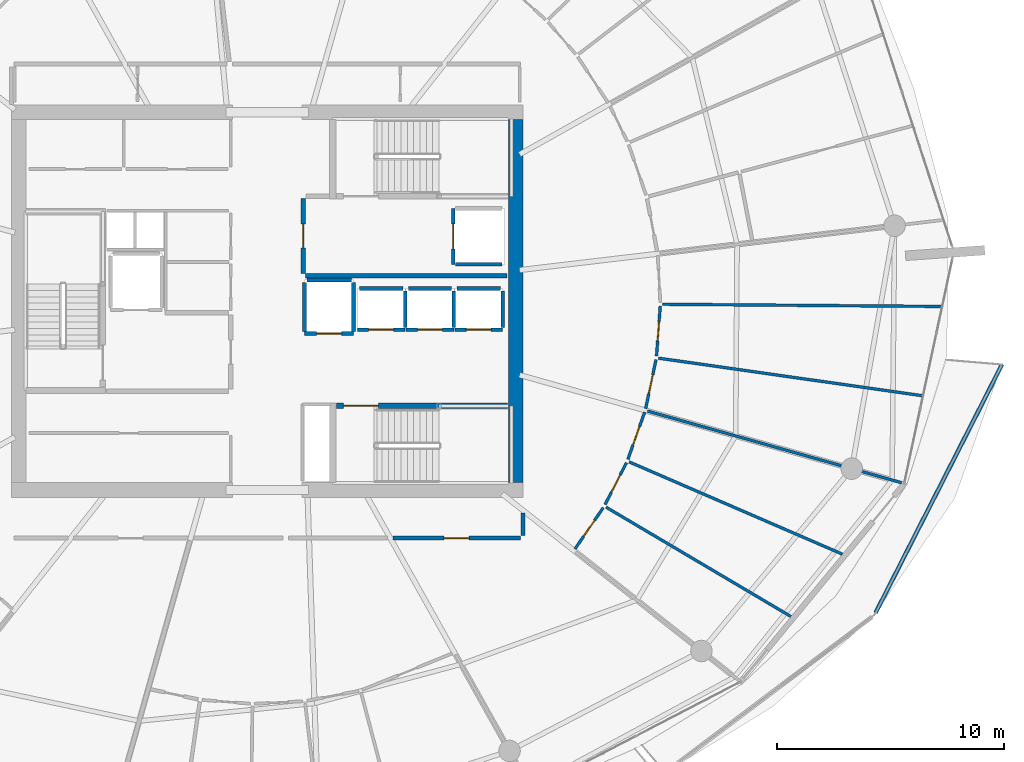
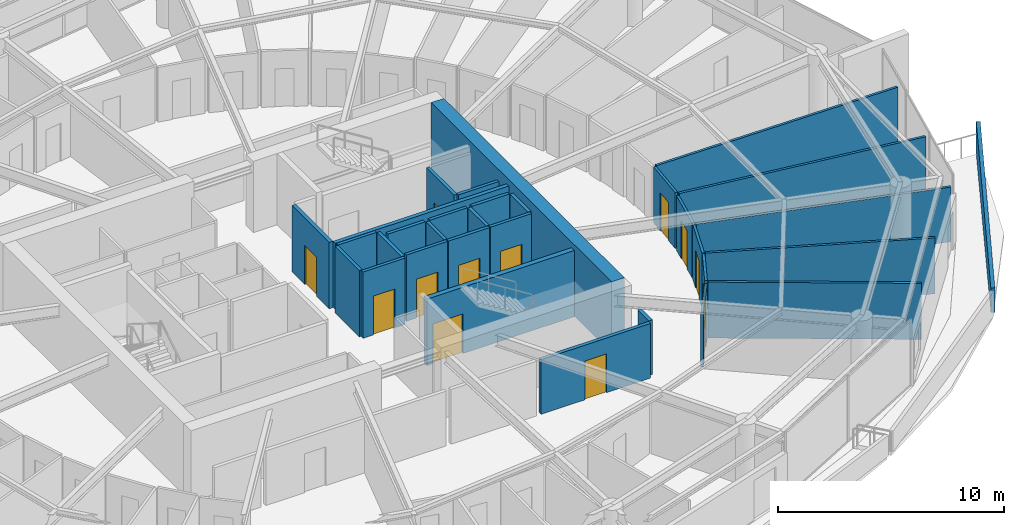
# One storey, part 21 of 31: 32 walls, 13 doors, 13 openings.
"""IFC4 building model written with IfcOpenShell, lengths in metres."""

from ifc_helpers import new_model, si_unit, direction, frame, frame_2d, origin, place, context, subcontext, project, spatial, polyline, rectangle, outline, extrude, material, layer, layer_set, type_object, element, fill, save


model = new_model("IFC4")

# Units and contexts
model_context = context("Model", 3, precision=1e-05, world=origin(), true_north=direction((0.0, 1.0)))
body_context = subcontext(model_context, "Body", "Model", "MODEL_VIEW")
ifc_project = project(units=[si_unit("LENGTHUNIT", "METRE"), si_unit("AREAUNIT", "SQUARE_METRE"), si_unit("VOLUMEUNIT", "CUBIC_METRE"), si_unit("PLANEANGLEUNIT", "RADIAN"), si_unit("MASSUNIT", "GRAM", prefix="KILO")], contexts=[model_context])

# Site, building, storey
site_placement = place(None, origin())
site = spatial("IfcSite", under=ifc_project, at=site_placement, CompositionType="ELEMENT")
building_placement = place(site_placement, origin())
building = spatial("IfcBuilding", under=site, at=building_placement, Name="Kazma Halo Residences", CompositionType="ELEMENT")
storey_placement = place(building_placement, frame((0.0, 0.0, 271.35009765625)))
storey = spatial("IfcBuildingStorey", under=building, at=storey_placement, Name="L68", CompositionType="ELEMENT", Elevation=271.35009765625)

# Walls
ifc_material_1 = material(Name="White Concrete C50/60 Balustrade", Category="concrete")
ifc_layer_1 = layer(ifc_material_1, 0.179931640625)
ifc_layer_set_1 = layer_set([ifc_layer_1], Name="White Concrete C50/60 Balustrade")
wall_type_1 = type_object("IfcWallType", Name="WL-BAL-WAVE-180", PredefinedType="PARAPET", material=ifc_layer_set_1)
wall_1_placement = place(storey_placement, frame((75.241943359375, 28.254150390625, 0.0), z_axis=(0.0, 0.0, 1.0), x_axis=(0.45375182612, 0.891128094211, 0.0)))
element("IfcWall", 1, at=wall_1_placement, inside=storey, type_object=wall_type_1, Name="L68 white wave balustrade wall SE.2", PredefinedType="PARAPET", context=body_context, shape_type="SweptSolid", body=[
    extrude(outline(polyline([(0.0, 0.0), (12.2998046875, 0.0), (12.2998046875, 1.746826171875), (6.14990234375, 1.56201171875), (0.0, 1.347900390625), (0.0, 0.0)])), frame((0.0, 0.08984375, 0.0), z_axis=(0.0, -1.0, 0.0), x_axis=(1.0, 0.0, 0.0)), (0.0, 0.0, 1.0), 0.179931640625),
])
ifc_material_2 = material(Name="Concrete C60/75", Category="concrete")
ifc_layer_2 = layer(ifc_material_2, 0.64990234375)
ifc_layer_set_2 = layer_set([ifc_layer_2], Name="Concrete C60/75")
wall_type_2 = type_object("IfcWallType", Name="WL-CORE-650", PredefinedType="SHEAR", material=ifc_layer_set_2)
wall_2_placement = place(storey_placement, frame((59.375, 34.0, 0.0), z_axis=(0.0, 0.0, 1.0), x_axis=(0.0, 1.0, 0.0)))
element("IfcWall", 2, at=wall_2_placement, inside=storey, type_object=wall_type_2, Name="L68 central core shear wall E", PredefinedType="SHEAR", context=body_context, shape_type="SweptSolid", body=[
    extrude(rectangle(XDim=16.0, YDim=0.64990234375, at=frame_2d((8.0, 0.0))), origin(), (0.0, 0.0, 1.0), 3.849853515625),
])

# Wall, opening, door
ifc_material_3 = material(Name="Acoustic Twin-Stud Gypsum")
ifc_layer_3 = layer(ifc_material_3, 0.179931640625)
ifc_layer_set_3 = layer_set([ifc_layer_3], Name="Acoustic Twin-Stud Gypsum")
wall_type_3 = type_object("IfcWallType", Name="WL-DEM-180", PredefinedType="PARTITIONING", material=ifc_layer_set_3)
wall_3_placement = place(storey_placement, frame((53.972412109375, 31.550048828125, 0.0), z_axis=(0.0, 0.0, 1.0), x_axis=(1.0, 0.0, 0.0)))
wall_3 = element("IfcWall", 3, at=wall_3_placement, inside=storey, type_object=wall_type_3, Name="L68 Apartment 2 entrance corridor wall", PredefinedType="PARTITIONING", context=body_context, shape_type="SweptSolid", body=[
    extrude(rectangle(XDim=5.607666015625, YDim=0.179931640625, at=frame_2d((2.8037109375, 0.0))), origin(), (0.0, 0.0, 1.0), 2.956787109375),
])
opening_1_placement = place(wall_3_placement, frame((2.25390625, 0.0, 0.0)))
opening_1 = element("IfcOpeningElement", 4, at=opening_1_placement, cuts=wall_3, Name="Opening DA-1100", PredefinedType="OPENING", context=body_context, shape_type="SweptSolid", body=[
    extrude(rectangle(XDim=1.10009765625, YDim=2.10009765625, at=frame_2d((0.550048828125, 1.050048828125))), frame((0.0, 0.099853515625, 0.0), z_axis=(0.0, -1.0, 0.0), x_axis=(1.0, 0.0, 0.0)), (0.0, 0.0, 1.0), 0.199951171875),
])
ifc_material_4 = material(Name="Acoustic Walnut Fire Leaf")
door_type_1 = type_object("IfcDoorType", Name="DR-FD60-1100", OperationType="NOTDEFINED", PredefinedType="DOOR", material=ifc_material_4)
door_1_placement = place(opening_1_placement, origin())
door_1 = element("IfcDoor", 5, at=door_1_placement, inside=storey, type_object=door_type_1, Name="L68 Apartment 2 entrance fire door", OperationType="SINGLE_SWING_LEFT", OverallHeight=2.10009765625, OverallWidth=1.10009765625, PredefinedType="DOOR", context=body_context, shape_type="SweptSolid", body=[
    extrude(rectangle(XDim=1.10009765625, YDim=2.10009765625, at=frame_2d((0.550048828125, 1.050048828125))), frame((0.0, 0.02490234375, 0.0), z_axis=(0.0, -1.0, 0.0), x_axis=(1.0, 0.0, 0.0)), (0.0, 0.0, 1.0), 0.050048828125),
])
fill(opening_1, door_1)

# Wall
wall_4_placement = place(storey_placement, frame((59.699951171875, 31.669921875, 0.0), z_axis=(0.0, 0.0, 1.0), x_axis=(0.0, 1.0, 0.0)))
element("IfcWall", 6, at=wall_4_placement, inside=storey, type_object=wall_type_3, Name="L68 Apartment 2 entrance corridor wall", PredefinedType="PARTITIONING", context=body_context, shape_type="SweptSolid", body=[
    extrude(rectangle(XDim=0.986572265625, YDim=0.179931640625, at=frame_2d((0.4931640625, 0.0))), origin(), (0.0, 0.0, 1.0), 2.956787109375),
])

# Wall, opening, door
ifc_material_5 = material(Name="Fire-Rated Blockwork Masonry", Category="masonry")
ifc_layer_4 = layer(ifc_material_5, 0.199951171875)
ifc_layer_set_4 = layer_set([ifc_layer_4], Name="Fire-Rated Blockwork Masonry")
wall_type_4 = type_object("IfcWallType", Name="WL-FLB-200", PredefinedType="PARTITIONING", material=ifc_layer_set_4)
wall_5_placement = place(storey_placement, frame((54.5048828125, 40.7451171875, 0.0), z_axis=(0.0, 0.0, 1.0), x_axis=(-1.0, 0.0, 0.0)))
wall_5 = element("IfcWall", 7, at=wall_5_placement, inside=storey, type_object=wall_type_4, Name="L68 lift shaft PH-01 front wall", PredefinedType="PARTITIONING", context=body_context, shape_type="SweptSolid", body=[
    extrude(rectangle(XDim=2.10986328125, YDim=0.159912109375, at=frame_2d((1.054931640625, 0.0))), origin(), (0.0, 0.0, 1.0), 3.58984375),
])
opening_2_placement = place(wall_5_placement, frame((0.5048828125, 0.0, 0.0)))
opening_2 = element("IfcOpeningElement", 8, at=opening_2_placement, cuts=wall_5, Name="Opening LD-PH-01", PredefinedType="OPENING", context=body_context, shape_type="SweptSolid", body=[
    extrude(rectangle(XDim=1.10009765625, YDim=2.10009765625, at=frame_2d((0.550048828125, 1.050048828125))), frame((0.0, 0.08984375, 0.0), z_axis=(0.0, -1.0, 0.0), x_axis=(1.0, 0.0, 0.0)), (0.0, 0.0, 1.0), 0.179931640625),
])
ifc_material_6 = material(Name="Stainless Steel Fire-Rated", Category="steel")
door_type_2 = type_object("IfcDoorType", Name="DR-LIFT-SLD-1100", OperationType="DOUBLE_DOOR_SLIDING", PredefinedType="DOOR", material=ifc_material_6)
door_2_placement = place(opening_2_placement, origin())
door_2 = element("IfcDoor", 9, at=door_2_placement, inside=storey, type_object=door_type_2, Name="L68 lift PH-01 sliding landing door", OperationType="DOUBLE_DOOR_SLIDING", OverallHeight=2.10009765625, OverallWidth=1.10009765625, PredefinedType="DOOR", context=body_context, shape_type="SweptSolid", body=[
    extrude(rectangle(XDim=1.10009765625, YDim=2.10009765625, at=frame_2d((0.550048828125, 1.050048828125))), frame((0.0, 0.02490234375, 0.0), z_axis=(0.0, -1.0, 0.0), x_axis=(1.0, 0.0, 0.0)), (0.0, 0.0, 1.0), 0.050048828125),
])
fill(opening_2, door_2)

# Walls
wall_6_placement = place(storey_placement, frame((54.5048828125, 40.844970703125, 0.0), z_axis=(0.0, 0.0, 1.0), x_axis=(0.0, 1.0, 0.0)))
element("IfcWall", 10, at=wall_6_placement, inside=storey, type_object=wall_type_4, Name="L68 lift shaft PH-01 side wall E", PredefinedType="PARTITIONING", context=body_context, shape_type="SweptSolid", body=[
    extrude(rectangle(XDim=1.610107421875, YDim=0.159912109375, at=frame_2d((0.80517578125, 0.0))), origin(), (0.0, 0.0, 1.0), 3.58984375),
])
wall_7_placement = place(storey_placement, frame((52.4951171875, 42.554931640625, 0.0), z_axis=(0.0, 0.0, 1.0), x_axis=(1.0, 0.0, 0.0)))
element("IfcWall", 11, at=wall_7_placement, inside=storey, type_object=wall_type_4, Name="L68 lift shaft PH-01 side wall N", PredefinedType="PARTITIONING", context=body_context, shape_type="SweptSolid", body=[
    extrude(rectangle(XDim=1.909912109375, YDim=0.159912109375, at=frame_2d((0.955078125, 0.0))), origin(), (0.0, 0.0, 1.0), 3.58984375),
])

# Wall, opening, door
wall_8_placement = place(storey_placement, frame((56.655029296875, 40.7451171875, 0.0), z_axis=(0.0, 0.0, 1.0), x_axis=(-1.0, 0.0, 0.0)))
wall_8 = element("IfcWall", 12, at=wall_8_placement, inside=storey, type_object=wall_type_4, Name="L68 lift shaft PH-02 front wall", PredefinedType="PARTITIONING", context=body_context, shape_type="SweptSolid", body=[
    extrude(rectangle(XDim=2.110107421875, YDim=0.159912109375, at=frame_2d((1.05517578125, 0.0))), origin(), (0.0, 0.0, 1.0), 3.58984375),
])
opening_3_placement = place(wall_8_placement, frame((0.5048828125, 0.0, 0.0)))
opening_3 = element("IfcOpeningElement", 13, at=opening_3_placement, cuts=wall_8, Name="Opening LD-PH-02", PredefinedType="OPENING", context=body_context, shape_type="SweptSolid", body=[
    extrude(rectangle(XDim=1.10009765625, YDim=2.10009765625, at=frame_2d((0.550048828125, 1.050048828125))), frame((0.0, 0.08984375, 0.0), z_axis=(0.0, -1.0, 0.0), x_axis=(1.0, 0.0, 0.0)), (0.0, 0.0, 1.0), 0.179931640625),
])
door_3_placement = place(opening_3_placement, origin())
door_3 = element("IfcDoor", 14, at=door_3_placement, inside=storey, type_object=door_type_2, Name="L68 lift PH-02 sliding landing door", OperationType="DOUBLE_DOOR_SLIDING", OverallHeight=2.10009765625, OverallWidth=1.10009765625, PredefinedType="DOOR", context=body_context, shape_type="SweptSolid", body=[
    extrude(rectangle(XDim=1.10009765625, YDim=2.10009765625, at=frame_2d((0.550048828125, 1.050048828125))), frame((0.0, 0.02490234375, 0.0), z_axis=(0.0, -1.0, 0.0), x_axis=(1.0, 0.0, 0.0)), (0.0, 0.0, 1.0), 0.050048828125),
])
fill(opening_3, door_3)

# Walls
wall_9_placement = place(storey_placement, frame((56.655029296875, 40.844970703125, 0.0), z_axis=(0.0, 0.0, 1.0), x_axis=(0.0, 1.0, 0.0)))
element("IfcWall", 15, at=wall_9_placement, inside=storey, type_object=wall_type_4, Name="L68 lift shaft PH-02 side wall E", PredefinedType="PARTITIONING", context=body_context, shape_type="SweptSolid", body=[
    extrude(rectangle(XDim=1.610107421875, YDim=0.159912109375, at=frame_2d((0.80517578125, 0.0))), origin(), (0.0, 0.0, 1.0), 3.58984375),
])
wall_10_placement = place(storey_placement, frame((54.64501953125, 42.554931640625, 0.0), z_axis=(0.0, 0.0, 1.0), x_axis=(1.0, 0.0, 0.0)))
element("IfcWall", 16, at=wall_10_placement, inside=storey, type_object=wall_type_4, Name="L68 lift shaft PH-02 side wall N", PredefinedType="PARTITIONING", context=body_context, shape_type="SweptSolid", body=[
    extrude(rectangle(XDim=1.909912109375, YDim=0.159912109375, at=frame_2d((0.955078125, 0.0))), origin(), (0.0, 0.0, 1.0), 3.58984375),
])

# Wall, opening, door
wall_11_placement = place(storey_placement, frame((58.804931640625, 40.7451171875, 0.0), z_axis=(0.0, 0.0, 1.0), x_axis=(-1.0, 0.0, 0.0)))
wall_11 = element("IfcWall", 17, at=wall_11_placement, inside=storey, type_object=wall_type_4, Name="L68 lift shaft PH-03 front wall", PredefinedType="PARTITIONING", context=body_context, shape_type="SweptSolid", body=[
    extrude(rectangle(XDim=2.10986328125, YDim=0.159912109375, at=frame_2d((1.054931640625, 0.0))), origin(), (0.0, 0.0, 1.0), 3.58984375),
])
opening_4_placement = place(wall_11_placement, frame((0.5048828125, 0.0, 0.0)))
opening_4 = element("IfcOpeningElement", 18, at=opening_4_placement, cuts=wall_11, Name="Opening LD-PH-03", PredefinedType="OPENING", context=body_context, shape_type="SweptSolid", body=[
    extrude(rectangle(XDim=1.10009765625, YDim=2.10009765625, at=frame_2d((0.550048828125, 1.050048828125))), frame((0.0, 0.08984375, 0.0), z_axis=(0.0, -1.0, 0.0), x_axis=(1.0, 0.0, 0.0)), (0.0, 0.0, 1.0), 0.179931640625),
])
door_4_placement = place(opening_4_placement, origin())
door_4 = element("IfcDoor", 19, at=door_4_placement, inside=storey, type_object=door_type_2, Name="L68 lift PH-03 sliding landing door", OperationType="DOUBLE_DOOR_SLIDING", OverallHeight=2.10009765625, OverallWidth=1.10009765625, PredefinedType="DOOR", context=body_context, shape_type="SweptSolid", body=[
    extrude(rectangle(XDim=1.10009765625, YDim=2.10009765625, at=frame_2d((0.550048828125, 1.050048828125))), frame((0.0, 0.02490234375, 0.0), z_axis=(0.0, -1.0, 0.0), x_axis=(1.0, 0.0, 0.0)), (0.0, 0.0, 1.0), 0.050048828125),
])
fill(opening_4, door_4)

# Walls
wall_12_placement = place(storey_placement, frame((58.804931640625, 40.844970703125, 0.0), z_axis=(0.0, 0.0, 1.0), x_axis=(0.0, 1.0, 0.0)))
element("IfcWall", 20, at=wall_12_placement, inside=storey, type_object=wall_type_4, Name="L68 lift shaft PH-03 side wall E", PredefinedType="PARTITIONING", context=body_context, shape_type="SweptSolid", body=[
    extrude(rectangle(XDim=1.610107421875, YDim=0.159912109375, at=frame_2d((0.80517578125, 0.0))), origin(), (0.0, 0.0, 1.0), 3.58984375),
])
wall_13_placement = place(storey_placement, frame((56.794921875, 42.554931640625, 0.0), z_axis=(0.0, 0.0, 1.0), x_axis=(1.0, 0.0, 0.0)))
element("IfcWall", 21, at=wall_13_placement, inside=storey, type_object=wall_type_4, Name="L68 lift shaft PH-03 side wall N", PredefinedType="PARTITIONING", context=body_context, shape_type="SweptSolid", body=[
    extrude(rectangle(XDim=1.91015625, YDim=0.159912109375, at=frame_2d((0.955078125, 0.0))), origin(), (0.0, 0.0, 1.0), 3.58984375),
])

# Wall, opening, door
wall_14_placement = place(storey_placement, frame((56.6201171875, 46.080078125, 0.0), z_axis=(0.0, 0.0, 1.0), x_axis=(0.0, -1.0, 0.0)))
wall_14 = element("IfcWall", 22, at=wall_14_placement, inside=storey, type_object=wall_type_4, Name="L68 lift shaft FL-02 front wall", PredefinedType="PARTITIONING", context=body_context, shape_type="SweptSolid", body=[
    extrude(rectangle(XDim=2.4599609375, YDim=0.159912109375, at=frame_2d((1.22998046875, 0.0))), origin(), (0.0, 0.0, 1.0), 3.58984375),
])
opening_5_placement = place(wall_14_placement, frame((0.679931640625, 0.0, 0.0)))
opening_5 = element("IfcOpeningElement", 23, at=opening_5_placement, cuts=wall_14, Name="Opening LD-FL-02", PredefinedType="OPENING", context=body_context, shape_type="SweptSolid", body=[
    extrude(rectangle(XDim=1.10009765625, YDim=2.10009765625, at=frame_2d((0.550048828125, 1.050048828125))), frame((0.0, 0.08984375, 0.0), z_axis=(0.0, -1.0, 0.0), x_axis=(1.0, 0.0, 0.0)), (0.0, 0.0, 1.0), 0.179931640625),
])
door_5_placement = place(opening_5_placement, origin())
door_5 = element("IfcDoor", 24, at=door_5_placement, inside=storey, type_object=door_type_2, Name="L68 lift FL-02 sliding landing door", OperationType="DOUBLE_DOOR_SLIDING", OverallHeight=2.10009765625, OverallWidth=1.10009765625, PredefinedType="DOOR", context=body_context, shape_type="SweptSolid", body=[
    extrude(rectangle(XDim=1.10009765625, YDim=2.10009765625, at=frame_2d((0.550048828125, 1.050048828125))), frame((0.0, 0.02490234375, 0.0), z_axis=(0.0, -1.0, 0.0), x_axis=(1.0, 0.0, 0.0)), (0.0, 0.0, 1.0), 0.050048828125),
])
fill(opening_5, door_5)

# Wall
wall_15_placement = place(storey_placement, frame((56.719970703125, 43.6201171875, 0.0), z_axis=(0.0, 0.0, 1.0), x_axis=(1.0, 0.0, 0.0)))
element("IfcWall", 25, at=wall_15_placement, inside=storey, type_object=wall_type_4, Name="L68 lift shaft FL-02 side wall S", PredefinedType="PARTITIONING", context=body_context, shape_type="SweptSolid", body=[
    extrude(rectangle(XDim=2.06005859375, YDim=0.159912109375, at=frame_2d((1.030029296875, 0.0))), origin(), (0.0, 0.0, 1.0), 3.58984375),
])

# Wall, opening, door
wall_16_placement = place(storey_placement, frame((52.22998046875, 40.570068359375, 0.0), z_axis=(0.0, 0.0, 1.0), x_axis=(-1.0, 0.0, 0.0)))
wall_16 = element("IfcWall", 26, at=wall_16_placement, inside=storey, type_object=wall_type_4, Name="L68 lift shaft SV-01 front wall", PredefinedType="PARTITIONING", context=body_context, shape_type="SweptSolid", body=[
    extrude(rectangle(XDim=2.159912109375, YDim=0.159912109375, at=frame_2d((1.080078125, 0.0))), origin(), (0.0, 0.0, 1.0), 3.58984375),
])
opening_6_placement = place(wall_16_placement, frame((0.530029296875, 0.0, 0.0)))
opening_6 = element("IfcOpeningElement", 27, at=opening_6_placement, cuts=wall_16, Name="Opening LD-SV-01", PredefinedType="OPENING", context=body_context, shape_type="SweptSolid", body=[
    extrude(rectangle(XDim=1.10009765625, YDim=2.10009765625, at=frame_2d((0.550048828125, 1.050048828125))), frame((0.0, 0.08984375, 0.0), z_axis=(0.0, -1.0, 0.0), x_axis=(1.0, 0.0, 0.0)), (0.0, 0.0, 1.0), 0.179931640625),
])
door_6_placement = place(opening_6_placement, origin())
door_6 = element("IfcDoor", 28, at=door_6_placement, inside=storey, type_object=door_type_2, Name="L68 lift SV-01 sliding landing door", OperationType="DOUBLE_DOOR_SLIDING", OverallHeight=2.10009765625, OverallWidth=1.10009765625, PredefinedType="DOOR", context=body_context, shape_type="SweptSolid", body=[
    extrude(rectangle(XDim=1.10009765625, YDim=2.10009765625, at=frame_2d((0.550048828125, 1.050048828125))), frame((0.0, 0.02490234375, 0.0), z_axis=(0.0, -1.0, 0.0), x_axis=(1.0, 0.0, 0.0)), (0.0, 0.0, 1.0), 0.050048828125),
])
fill(opening_6, door_6)

# Walls
for number, where, z_axis, x_axis, name in (
    (29, (52.22998046875, 40.669921875, 0.0), (0.0, 0.0, 1.0), (0.0, 1.0, 0.0), "L68 lift shaft SV-01 side wall E"),
    (30, (50.070068359375, 40.669921875, 0.0), (0.0, 0.0, 1.0), (0.0, 1.0, 0.0), "L68 lift shaft SV-01 side wall W"),
):
    element("IfcWall", number, at=place(storey_placement, frame(where, z_axis=z_axis, x_axis=x_axis)), inside=storey, type_object=wall_type_4, Name=name, PredefinedType="PARTITIONING", context=body_context, shape_type="SweptSolid", body=[
        extrude(rectangle(XDim=2.16015625, YDim=0.159912109375, at=frame_2d((1.080078125, 0.0))), origin(), (0.0, 0.0, 1.0), 3.58984375),
    ])
wall_17_placement = place(storey_placement, frame((50.169921875, 42.929931640625, 0.0), z_axis=(0.0, 0.0, 1.0), x_axis=(1.0, 0.0, 0.0)))
element("IfcWall", 31, at=wall_17_placement, inside=storey, type_object=wall_type_4, Name="L68 lift shaft SV-01 side wall N", PredefinedType="PARTITIONING", context=body_context, shape_type="SweptSolid", body=[
    extrude(rectangle(XDim=1.9599609375, YDim=0.159912109375, at=frame_2d((0.97998046875, 0.0))), origin(), (0.0, 0.0, 1.0), 3.58984375),
])
wall_18_placement = place(storey_placement, frame((50.1201171875, 43.1201171875, 0.0), z_axis=(0.0, 0.0, 1.0), x_axis=(1.0, 0.0, 0.0)))
element("IfcWall", 32, at=wall_18_placement, inside=storey, type_object=wall_type_4, Name="L68 east firefighting lobby south smoke wall", PredefinedType="PARTITIONING", context=body_context, shape_type="SweptSolid", body=[
    extrude(rectangle(XDim=8.8798828125, YDim=0.199951171875, at=frame_2d((4.43994140625, 0.0))), origin(), (0.0, 0.0, 1.0), 3.58984375),
])

# Wall, opening, door
wall_19_placement = place(storey_placement, frame((50.02001953125, 43.219970703125, 0.0), z_axis=(0.0, 0.0, 1.0), x_axis=(0.0, 1.0, 0.0)))
wall_19 = element("IfcWall", 33, at=wall_19_placement, inside=storey, type_object=wall_type_4, Name="L68 east firefighting lobby smoke wall", PredefinedType="PARTITIONING", context=body_context, shape_type="SweptSolid", body=[
    extrude(rectangle(XDim=3.300048828125, YDim=0.199951171875, at=frame_2d((1.64990234375, 0.0))), origin(), (0.0, 0.0, 1.0), 3.58984375),
])
opening_7_placement = place(wall_19_placement, frame((1.125, 0.0, 0.0)))
opening_7 = element("IfcOpeningElement", 34, at=opening_7_placement, cuts=wall_19, Name="Opening D-FLE", PredefinedType="OPENING", context=body_context, shape_type="SweptSolid", body=[
    extrude(rectangle(XDim=1.050048828125, YDim=2.10009765625, at=frame_2d((0.52490234375, 1.050048828125))), frame((0.0, 0.10986328125, 0.0), z_axis=(0.0, -1.0, 0.0), x_axis=(1.0, 0.0, 0.0)), (0.0, 0.0, 1.0), 0.219970703125),
])
ifc_material_7 = material(Name="Fire-Rated Steel Leaf", Category="steel")
door_type_3 = type_object("IfcDoorType", Name="DR-FD90-1050", OperationType="NOTDEFINED", PredefinedType="DOOR", material=ifc_material_7)
door_7_placement = place(opening_7_placement, origin())
door_7 = element("IfcDoor", 35, at=door_7_placement, inside=storey, type_object=door_type_3, Name="L68 east firefighting lobby smoke door", OperationType="SINGLE_SWING_RIGHT", OverallHeight=2.10009765625, OverallWidth=1.050048828125, PredefinedType="DOOR", context=body_context, shape_type="SweptSolid", body=[
    extrude(rectangle(XDim=1.050048828125, YDim=2.10009765625, at=frame_2d((0.52490234375, 1.050048828125))), frame((0.0, 0.02490234375, 0.0), z_axis=(0.0, -1.0, 0.0), x_axis=(1.0, 0.0, 0.0)), (0.0, 0.0, 1.0), 0.050048828125),
])
fill(opening_7, door_7)

# Walls
ifc_material_8 = material(Name="Gypsum Plasterboard Partition")
ifc_layer_5 = layer(ifc_material_8, 0.125)
ifc_layer_set_5 = layer_set([ifc_layer_5], Name="Gypsum Plasterboard Partition")
wall_type_5 = type_object("IfcWallType", Name="WL-PART-125", PredefinedType="PARTITIONING", material=ifc_layer_set_5)
wall_20_placement = place(storey_placement, frame((63.36181640625, 32.915283203125, 0.0), z_axis=(0.0, 0.0, 1.0), x_axis=(0.860726173163, -0.509068222178, 0.0)))
element("IfcWall", 36, at=wall_20_placement, inside=storey, type_object=wall_type_5, Name="L68 Apartment 2 bay wall 1 13", PredefinedType="PARTITIONING", context=body_context, shape_type="SweptSolid", body=[
    extrude(rectangle(XDim=9.464111328125, YDim=0.125, at=frame_2d((4.73193359375, 0.0))), origin(), (0.0, 0.0, 1.0), 3.02978515625),
])
wall_21_placement = place(storey_placement, frame((64.379150390625, 34.912109375, 0.0), z_axis=(0.0, 0.0, 1.0), x_axis=(0.917754922423, -0.397147204912, 0.0)))
element("IfcWall", 37, at=wall_21_placement, inside=storey, type_object=wall_type_5, Name="L68 Apartment 2 bay wall 2 13", PredefinedType="PARTITIONING", context=body_context, shape_type="SweptSolid", body=[
    extrude(rectangle(XDim=10.243408203125, YDim=0.125, at=frame_2d((5.12158203125, 0.0))), origin(), (0.0, 0.0, 1.0), 3.02978515625),
])

# Wall, opening, door
wall_22_placement = place(storey_placement, frame((61.989990234375, 31.07275390625, 0.0), z_axis=(0.0, 0.0, 1.0), x_axis=(0.565365127096, 0.824840756185, 0.0)))
wall_22 = element("IfcWall", 38, at=wall_22_placement, inside=storey, type_object=wall_type_5, Name="L68 Apartment 2 North Bedroom hall wall", PredefinedType="PARTITIONING", context=body_context, shape_type="SweptSolid", body=[
    extrude(rectangle(XDim=2.209228515625, YDim=0.125, at=frame_2d((1.1044921875, 0.0))), origin(), (0.0, 0.0, 1.0), 2.956787109375),
])
opening_8_placement = place(wall_22_placement, frame((0.6796875, 0.0, 0.0)))
opening_8 = element("IfcOpeningElement", 39, at=opening_8_placement, cuts=wall_22, Name="Opening DB-900", PredefinedType="OPENING", context=body_context, shape_type="SweptSolid", body=[
    extrude(rectangle(XDim=0.85009765625, YDim=2.06005859375, at=frame_2d((0.425048828125, 1.030029296875))), frame((0.0, 0.072509765625, 0.0), z_axis=(0.0, -1.0, 0.0), x_axis=(1.0, 0.0, 0.0)), (0.0, 0.0, 1.0), 0.14501953125),
])
ifc_material_9 = material(Name="Moisture-Sealed Timber Leaf", Category="wood")
door_type_4 = type_object("IfcDoorType", Name="DR-BTH-900", OperationType="NOTDEFINED", PredefinedType="DOOR", material=ifc_material_9)
door_8_placement = place(opening_8_placement, origin())
door_8 = element("IfcDoor", 40, at=door_8_placement, inside=storey, type_object=door_type_4, Name="L68 Apartment 2 North Bedroom door", OperationType="SINGLE_SWING_LEFT", OverallHeight=2.06005859375, OverallWidth=0.85009765625, PredefinedType="DOOR", context=body_context, shape_type="SweptSolid", body=[
    extrude(rectangle(XDim=0.85009765625, YDim=2.06005859375, at=frame_2d((0.425048828125, 1.030029296875))), frame((0.0, 0.02490234375, 0.0), z_axis=(0.0, -1.0, 0.0), x_axis=(1.0, 0.0, 0.0)), (0.0, 0.0, 1.0), 0.050048828125),
])
fill(opening_8, door_8)

wall_23_placement = place(storey_placement, frame((63.320556640625, 33.0322265625, 0.0), z_axis=(0.0, 0.0, 1.0), x_axis=(0.453994690579, 0.891004388837, 0.0)))
wall_23 = element("IfcWall", 41, at=wall_23_placement, inside=storey, type_object=wall_type_5, Name="L68 Apartment 2 South Laundry Room hall wall", PredefinedType="PARTITIONING", context=body_context, shape_type="SweptSolid", body=[
    extrude(rectangle(XDim=2.06982421875, YDim=0.125, at=frame_2d((1.034912109375, 0.0))), origin(), (0.0, 0.0, 1.0), 3.02978515625),
])
opening_9_placement = place(wall_23_placement, frame((0.60986328125, 0.0, 0.0)))
opening_9 = element("IfcOpeningElement", 42, at=opening_9_placement, cuts=wall_23, Name="Opening DB-900", PredefinedType="OPENING", context=body_context, shape_type="SweptSolid", body=[
    extrude(rectangle(XDim=0.85009765625, YDim=2.06005859375, at=frame_2d((0.425048828125, 1.030029296875))), frame((0.0, 0.072509765625, 0.0), z_axis=(0.0, -1.0, 0.0), x_axis=(1.0, 0.0, 0.0)), (0.0, 0.0, 1.0), 0.14501953125),
])
door_9_placement = place(opening_9_placement, origin())
door_9 = element("IfcDoor", 43, at=door_9_placement, inside=storey, type_object=door_type_4, Name="L68 Apartment 2 South Laundry Room door", OperationType="SINGLE_SWING_RIGHT", OverallHeight=2.06005859375, OverallWidth=0.85009765625, PredefinedType="DOOR", context=body_context, shape_type="SweptSolid", body=[
    extrude(rectangle(XDim=0.85009765625, YDim=2.06005859375, at=frame_2d((0.425048828125, 1.030029296875))), frame((0.0, 0.02490234375, 0.0), z_axis=(0.0, -1.0, 0.0), x_axis=(1.0, 0.0, 0.0)), (0.0, 0.0, 1.0), 0.050048828125),
])
fill(opening_9, door_9)

wall_24_placement = place(storey_placement, frame((64.323486328125, 35.023193359375, 0.0), z_axis=(0.0, 0.0, 1.0), x_axis=(0.334998765423, 0.942218566557, 0.0)))
wall_24 = element("IfcWall", 44, at=wall_24_placement, inside=storey, type_object=wall_type_5, Name="L68 Apartment 2 Inner Bedroom hall wall", PredefinedType="PARTITIONING", context=body_context, shape_type="SweptSolid", body=[
    extrude(rectangle(XDim=2.208984375, YDim=0.125, at=frame_2d((1.1044921875, 0.0))), origin(), (0.0, 0.0, 1.0), 2.956787109375),
])
opening_10_placement = place(wall_24_placement, frame((0.679443359375, 0.0, 0.0)))
opening_10 = element("IfcOpeningElement", 45, at=opening_10_placement, cuts=wall_24, Name="Opening DB-900", PredefinedType="OPENING", context=body_context, shape_type="SweptSolid", body=[
    extrude(rectangle(XDim=0.85009765625, YDim=2.06005859375, at=frame_2d((0.425048828125, 1.030029296875))), frame((0.0, 0.072509765625, 0.0), z_axis=(0.0, -1.0, 0.0), x_axis=(1.0, 0.0, 0.0)), (0.0, 0.0, 1.0), 0.14501953125),
])
door_10_placement = place(opening_10_placement, origin())
door_10 = element("IfcDoor", 46, at=door_10_placement, inside=storey, type_object=door_type_4, Name="L68 Apartment 2 Inner Bedroom door", OperationType="SINGLE_SWING_LEFT", OverallHeight=2.06005859375, OverallWidth=0.85009765625, PredefinedType="DOOR", context=body_context, shape_type="SweptSolid", body=[
    extrude(rectangle(XDim=0.85009765625, YDim=2.06005859375, at=frame_2d((0.425048828125, 1.030029296875))), frame((0.0, 0.02490234375, 0.0), z_axis=(0.0, -1.0, 0.0), x_axis=(1.0, 0.0, 0.0)), (0.0, 0.0, 1.0), 0.050048828125),
])
fill(opening_10, door_10)

# Walls
wall_25_placement = place(storey_placement, frame((65.1865234375, 37.15283203125, 0.0), z_axis=(0.0, 0.0, 1.0), x_axis=(0.962455577867, -0.271439239301, 0.0)))
element("IfcWall", 47, at=wall_25_placement, inside=storey, type_object=wall_type_5, Name="L68 Apartment 2 radial partition 14", PredefinedType="PARTITIONING", context=body_context, shape_type="SweptSolid", body=[
    extrude(rectangle(XDim=11.638671875, YDim=0.125, at=frame_2d((5.8193359375, 0.0))), origin(), (0.0, 0.0, 1.0), 2.956787109375),
])
wall_26_placement = place(storey_placement, frame((65.6689453125, 39.4853515625, 0.0), z_axis=(0.0, 0.0, 1.0), x_axis=(0.990022432034, -0.140909843761, 0.0)))
element("IfcWall", 48, at=wall_26_placement, inside=storey, type_object=wall_type_5, Name="L68 Apartment 2 bay wall 1 14", PredefinedType="PARTITIONING", context=body_context, shape_type="SweptSolid", body=[
    extrude(rectangle(XDim=11.760986328125, YDim=0.125, at=frame_2d((5.88037109375, 0.0))), origin(), (0.0, 0.0, 1.0), 3.02978515625),
])
wall_27_placement = place(storey_placement, frame((65.846435546875, 41.85986328125, 0.0), z_axis=(0.0, 0.0, 1.0), x_axis=(0.999969162233, -0.007853316706, 0.0)))
element("IfcWall", 49, at=wall_27_placement, inside=storey, type_object=wall_type_5, Name="L68 Apartment 2 bay wall 2 14", PredefinedType="PARTITIONING", context=body_context, shape_type="SweptSolid", body=[
    extrude(rectangle(XDim=12.310791015625, YDim=0.125, at=frame_2d((6.1552734375, 0.0))), origin(), (0.0, 0.0, 1.0), 3.02978515625),
])

# Wall, opening, door
wall_28_placement = place(storey_placement, frame((65.106689453125, 37.25830078125, 0.0), z_axis=(0.0, 0.0, 1.0), x_axis=(0.20677346991, 0.978388845062, 0.0)))
wall_28 = element("IfcWall", 50, at=wall_28_placement, inside=storey, type_object=wall_type_5, Name="L68 Apartment 2 Outer Master Bedroom hall wall", PredefinedType="PARTITIONING", context=body_context, shape_type="SweptSolid", body=[
    extrude(rectangle(XDim=2.209228515625, YDim=0.125, at=frame_2d((1.1044921875, 0.0))), origin(), (0.0, 0.0, 1.0), 2.956787109375),
])
opening_11_placement = place(wall_28_placement, frame((0.6796875, 0.0, 0.0)))
opening_11 = element("IfcOpeningElement", 51, at=opening_11_placement, cuts=wall_28, Name="Opening DB-900", PredefinedType="OPENING", context=body_context, shape_type="SweptSolid", body=[
    extrude(rectangle(XDim=0.85009765625, YDim=2.06005859375, at=frame_2d((0.425048828125, 1.030029296875))), frame((0.0, 0.072509765625, 0.0), z_axis=(0.0, -1.0, 0.0), x_axis=(1.0, 0.0, 0.0)), (0.0, 0.0, 1.0), 0.14501953125),
])
door_11_placement = place(opening_11_placement, origin())
door_11 = element("IfcDoor", 52, at=door_11_placement, inside=storey, type_object=door_type_4, Name="L68 Apartment 2 Outer Master Bedroom door", OperationType="SINGLE_SWING_RIGHT", OverallHeight=2.06005859375, OverallWidth=0.85009765625, PredefinedType="DOOR", context=body_context, shape_type="SweptSolid", body=[
    extrude(rectangle(XDim=0.85009765625, YDim=2.06005859375, at=frame_2d((0.425048828125, 1.030029296875))), frame((0.0, 0.02490234375, 0.0), z_axis=(0.0, -1.0, 0.0), x_axis=(1.0, 0.0, 0.0)), (0.0, 0.0, 1.0), 0.050048828125),
])
fill(opening_11, door_11)

wall_29_placement = place(storey_placement, frame((65.5859375, 39.577880859375, 0.0), z_axis=(0.0, 0.0, 1.0), x_axis=(0.074490462528, 0.997221726093, 0.0)))
wall_29 = element("IfcWall", 53, at=wall_29_placement, inside=storey, type_object=wall_type_5, Name="L68 Apartment 2 Corner Dressing Wardrobe hall wall", PredefinedType="PARTITIONING", context=body_context, shape_type="SweptSolid", body=[
    extrude(rectangle(XDim=2.208984375, YDim=0.125, at=frame_2d((1.1044921875, 0.0))), origin(), (0.0, 0.0, 1.0), 3.02978515625),
])
opening_12_placement = place(wall_29_placement, frame((0.679443359375, 0.0, 0.0)))
opening_12 = element("IfcOpeningElement", 54, at=opening_12_placement, cuts=wall_29, Name="Opening DB-900", PredefinedType="OPENING", context=body_context, shape_type="SweptSolid", body=[
    extrude(rectangle(XDim=0.85009765625, YDim=2.06005859375, at=frame_2d((0.425048828125, 1.030029296875))), frame((0.0, 0.072509765625, 0.0), z_axis=(0.0, -1.0, 0.0), x_axis=(1.0, 0.0, 0.0)), (0.0, 0.0, 1.0), 0.14501953125),
])
door_12_placement = place(opening_12_placement, origin())
door_12 = element("IfcDoor", 55, at=door_12_placement, inside=storey, type_object=door_type_4, Name="L68 Apartment 2 Corner Dressing Wardrobe door", OperationType="SINGLE_SWING_LEFT", OverallHeight=2.06005859375, OverallWidth=0.85009765625, PredefinedType="DOOR", context=body_context, shape_type="SweptSolid", body=[
    extrude(rectangle(XDim=0.85009765625, YDim=2.06005859375, at=frame_2d((0.425048828125, 1.030029296875))), frame((0.0, 0.02490234375, 0.0), z_axis=(0.0, -1.0, 0.0), x_axis=(1.0, 0.0, 0.0)), (0.0, 0.0, 1.0), 0.050048828125),
])
fill(opening_12, door_12)

ifc_material_10 = material(Name="Concrete C50/60", Category="concrete")
ifc_layer_6 = layer(ifc_material_10, 0.25)
ifc_layer_set_6 = layer_set([ifc_layer_6], Name="Concrete C50/60")
wall_type_6 = type_object("IfcWallType", Name="WL-SHF-250", PredefinedType="SOLIDWALL", material=ifc_layer_set_6)
wall_30_placement = place(storey_placement, frame((51.47998046875, 37.3798828125, 0.0), z_axis=(0.0, 0.0, 1.0), x_axis=(1.0, 0.0, 0.0)))
wall_30 = element("IfcWall", 56, at=wall_30_placement, inside=storey, type_object=wall_type_6, Name="L68 exit stair ST-03 enclosure wall", PredefinedType="SOLIDWALL", context=body_context, shape_type="SweptSolid", body=[
    extrude(rectangle(XDim=7.5400390625, YDim=0.25, at=frame_2d((3.77001953125, 0.0))), origin(), (0.0, 0.0, 1.0), 3.58984375),
])
opening_13_placement = place(wall_30_placement, frame((0.300048828125, 0.0, 0.0)))
opening_13 = element("IfcOpeningElement", 57, at=opening_13_placement, cuts=wall_30, Name="Opening D-ST3", PredefinedType="OPENING", context=body_context, shape_type="SweptSolid", body=[
    extrude(rectangle(XDim=1.550048828125, YDim=2.14990234375, at=frame_2d((0.77490234375, 1.074951171875))), frame((0.0, 0.135009765625, 0.0), z_axis=(0.0, -1.0, 0.0), x_axis=(1.0, 0.0, 0.0)), (0.0, 0.0, 1.0), 0.27001953125),
])
ifc_material_11 = material(Name="Fire-Rated Double Steel Leaf", Category="steel")
door_type_5 = type_object("IfcDoorType", Name="DR-FD90-1550", OperationType="NOTDEFINED", PredefinedType="DOOR", material=ifc_material_11)
door_13_placement = place(opening_13_placement, origin())
door_13 = element("IfcDoor", 58, at=door_13_placement, inside=storey, type_object=door_type_5, Name="L68 exit stair ST-03 fire door", OperationType="DOUBLE_DOOR_SINGLE_SWING", OverallHeight=2.14990234375, OverallWidth=1.550048828125, PredefinedType="DOOR", context=body_context, shape_type="SweptSolid", body=[
    extrude(rectangle(XDim=1.550048828125, YDim=2.14990234375, at=frame_2d((0.77490234375, 1.074951171875))), frame((0.0, 0.02490234375, 0.0), z_axis=(0.0, -1.0, 0.0), x_axis=(1.0, 0.0, 0.0)), (0.0, 0.0, 1.0), 0.050048828125),
])
fill(opening_13, door_13)

save(model, "model.ifc")
